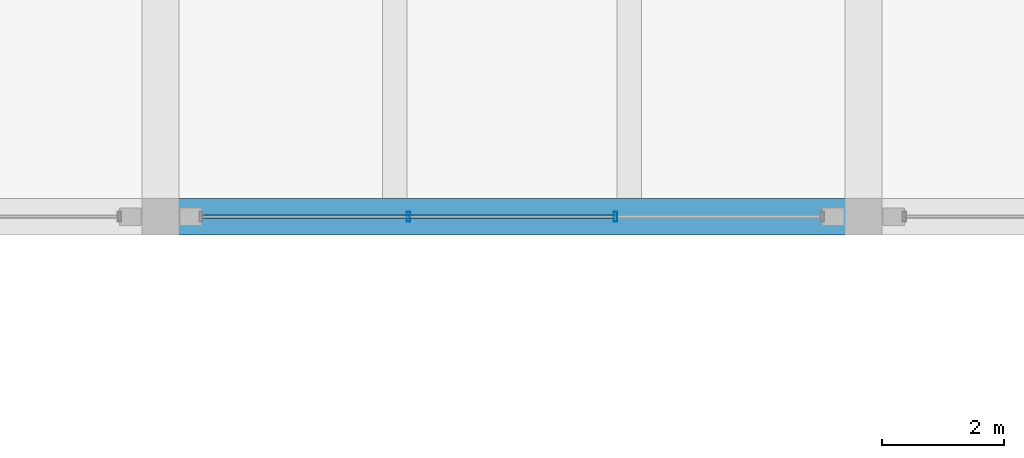
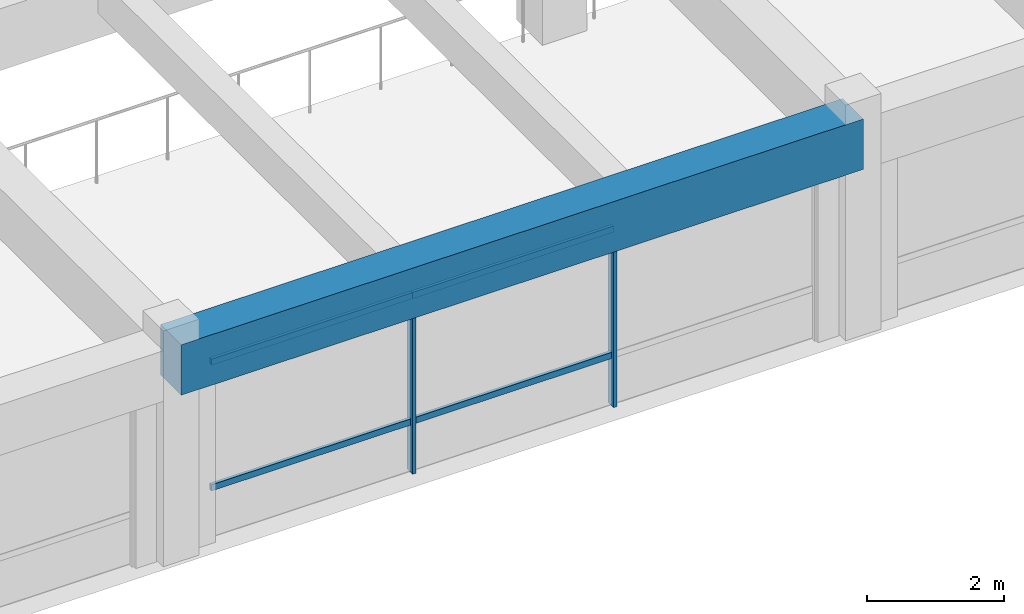
# One storey, part 7 of 98: 6 members, 1 beam, 1 element without a shape of its own.
"""IFC4 building model written with IfcOpenShell, lengths in metres."""

from ifc_helpers import new_model, si_unit, direction, frame, origin, origin_2d, place, context, subcontext, project, spatial, rectangle, hollow_rectangle, extrude, material, material_profile, profile_set, type_object, element, aggregate, save


model = new_model("IFC4")

# Units and contexts
model_context = context("Model", 3, precision=1e-05, world=origin(), true_north=direction((0.0, 1.0)))
body_context = subcontext(model_context, "Body", "Model", "MODEL_VIEW")
ifc_project = project(units=[si_unit("LENGTHUNIT", "METRE"), si_unit("AREAUNIT", "SQUARE_METRE"), si_unit("VOLUMEUNIT", "CUBIC_METRE"), si_unit("PLANEANGLEUNIT", "RADIAN"), si_unit("MASSUNIT", "GRAM", prefix="KILO")], contexts=[model_context])

# Site, building, storey
site_placement = place(None, origin())
site = spatial("IfcSite", under=ifc_project, at=site_placement, CompositionType="ELEMENT")
building_placement = place(site_placement, origin())
building = spatial("IfcBuilding", under=site, at=building_placement, Name="Ologun Quay Terminus", CompositionType="ELEMENT")
storey_placement = place(building_placement, frame((0.0, 0.0, 4.199951171875)))
storey = spatial("IfcBuildingStorey", under=building, at=storey_placement, Name="L01", CompositionType="ELEMENT", Elevation=4.199951171875)

# Curtain wall, members
ifc_material_1 = material(Name="Aluminium 6063-T6", Category="aluminium")
curtain_wall_type = type_object("IfcCurtainWallType", Name="Forecourt Mezzanine Curtain Wall 10700x3850", PredefinedType="USERDEFINED", material=ifc_material_1)
curtain_wall_placement = place(storey_placement, origin())
curtain_wall = element("IfcCurtainWall", 1, at=curtain_wall_placement, inside=storey, type_object=curtain_wall_type, Name="CW-04 Curtain Wall CW-L01-011", ObjectType="UNITISED CURTAIN WALL", PredefinedType="USERDEFINED")
ifc_material_2 = material(Name="Aluminium 6063-T6", Category="aluminium")
ifc_material_profile_1 = material_profile(ifc_material_2, hollow_rectangle(XDim=0.06005859375, YDim=0.159912109375, WallThickness=0.00390625, at=origin_2d()), Name="ALU 160x60x4")
ifc_profile_set_1 = profile_set([ifc_material_profile_1], Name="Aluminium 6063-T6")
member_type_1 = type_object("IfcMemberType", Name="Curtain Wall Standard Mullion 160x65", PredefinedType="MULLION", material=ifc_profile_set_1)
member_1_placement = place(storey_placement, frame((27.056640625, 27.199951171875, 0.0), z_axis=(0.0, 0.0, 1.0), x_axis=(1.0, 0.0, 0.0)))
member_1 = element("IfcMember", 2, at=member_1_placement, type_object=member_type_1, Name="CW-L01-011 Mullion 2", PredefinedType="MULLION", context=body_context, shape_type="SweptSolid", body=[
    extrude(hollow_rectangle(XDim=0.06005859375, YDim=0.159912109375, WallThickness=0.00390625, at=origin_2d()), origin(), (0.0, 0.0, 1.0), 3.840087890625),
])
member_2_placement = place(storey_placement, frame((30.443359375, 27.199951171875, 0.0), z_axis=(0.0, 0.0, 1.0), x_axis=(1.0, 0.0, 0.0)))
member_2 = element("IfcMember", 3, at=member_2_placement, type_object=member_type_1, Name="CW-L01-011 Mullion 3", PredefinedType="MULLION", context=body_context, shape_type="SweptSolid", body=[
    extrude(hollow_rectangle(XDim=0.06005859375, YDim=0.159912109375, WallThickness=0.00390625, at=origin_2d()), origin(), (0.0, 0.0, 1.0), 3.840087890625),
])
ifc_material_3 = material(Name="Aluminium 6063-T6", Category="aluminium")
ifc_material_profile_2 = material_profile(ifc_material_3, hollow_rectangle(XDim=0.054931640625, YDim=0.110107421875, WallThickness=0.00390625, at=origin_2d()), Name="ALU 110x55x4")
ifc_profile_set_2 = profile_set([ifc_material_profile_2], Name="Aluminium 6063-T6")
member_type_2 = type_object("IfcMemberType", Name="Curtain Wall Standard Transom 110x55", PredefinedType="USERDEFINED", material=ifc_profile_set_2)
member_3_placement = place(storey_placement, frame((23.669921875, 27.199951171875, 0.900146484375), z_axis=(1.0, 0.0, 0.0), x_axis=(0.0, 1.0, 0.0)))
member_3 = element("IfcMember", 4, at=member_3_placement, type_object=member_type_2, Name="CW-L01-011 Transom B1-1", ObjectType="TRANSOM", PredefinedType="USERDEFINED", context=body_context, shape_type="SweptSolid", body=[
    extrude(hollow_rectangle(XDim=0.054931640625, YDim=0.110107421875, WallThickness=0.00390625, at=origin_2d()), origin(), (0.0, 0.0, 1.0), 3.38671875),
])
member_4_placement = place(storey_placement, frame((23.669921875, 27.199951171875, 3.14013671875), z_axis=(1.0, 0.0, 0.0), x_axis=(0.0, 1.0, 0.0)))
member_4 = element("IfcMember", 5, at=member_4_placement, type_object=member_type_2, Name="CW-L01-011 Transom B1-2", ObjectType="TRANSOM", PredefinedType="USERDEFINED", context=body_context, shape_type="SweptSolid", body=[
    extrude(hollow_rectangle(XDim=0.054931640625, YDim=0.110107421875, WallThickness=0.00390625, at=origin_2d()), origin(), (0.0, 0.0, 1.0), 3.38671875),
])
member_5_placement = place(storey_placement, frame((27.056640625, 27.199951171875, 0.900146484375), z_axis=(1.0, 0.0, 0.0), x_axis=(0.0, 1.0, 0.0)))
member_5 = element("IfcMember", 6, at=member_5_placement, type_object=member_type_2, Name="CW-L01-011 Transom B2-1", ObjectType="TRANSOM", PredefinedType="USERDEFINED", context=body_context, shape_type="SweptSolid", body=[
    extrude(hollow_rectangle(XDim=0.054931640625, YDim=0.110107421875, WallThickness=0.00390625, at=origin_2d()), origin(), (0.0, 0.0, 1.0), 3.38671875),
])
member_6_placement = place(storey_placement, frame((27.056640625, 27.199951171875, 3.14013671875), z_axis=(1.0, 0.0, 0.0), x_axis=(0.0, 1.0, 0.0)))
member_6 = element("IfcMember", 7, at=member_6_placement, type_object=member_type_2, Name="CW-L01-011 Transom B2-2", ObjectType="TRANSOM", PredefinedType="USERDEFINED", context=body_context, shape_type="SweptSolid", body=[
    extrude(hollow_rectangle(XDim=0.054931640625, YDim=0.110107421875, WallThickness=0.00390625, at=origin_2d()), origin(), (0.0, 0.0, 1.0), 3.38671875),
])
aggregate(curtain_wall, [member_1, member_2, member_3, member_4, member_5, member_6])

# Beam
ifc_material_4 = material(Name="Concrete C40/50", Category="concrete")
ifc_material_profile_3 = material_profile(ifc_material_4, rectangle(XDim=0.60009765625, YDim=0.89990234375, at=origin_2d()), Name="RC 600x900")
ifc_profile_set_3 = profile_set([ifc_material_profile_3], Name="Concrete C40/50")
beam_type = type_object("IfcBeamType", Name="Station Frame Girder 600x900", PredefinedType="BEAM", material=ifc_profile_set_3)
beam_placement = place(storey_placement, frame((23.0, 27.199951171875, 3.400146484375), z_axis=(1.0, 0.0, 0.0), x_axis=(0.0, 1.0, 0.0)))
element("IfcBeam", 8, at=beam_placement, inside=storey, type_object=beam_type, Name="B3 Beam 3/D L01", PredefinedType="BEAM", context=body_context, shape_type="SweptSolid", body=[
    extrude(rectangle(XDim=0.60009765625, YDim=0.89990234375, at=origin_2d()), origin(), (0.0, 0.0, 1.0), 11.5),
])

save(model, "model.ifc")
